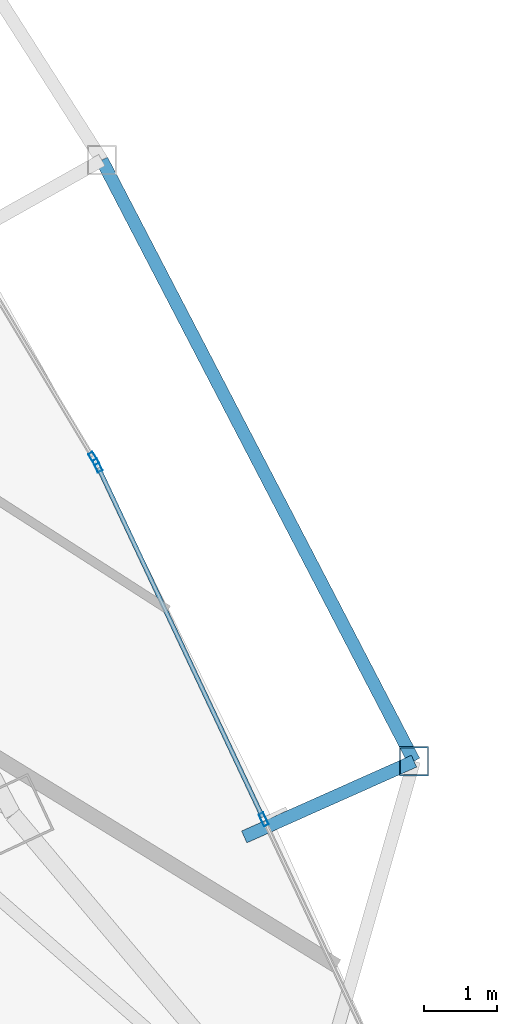
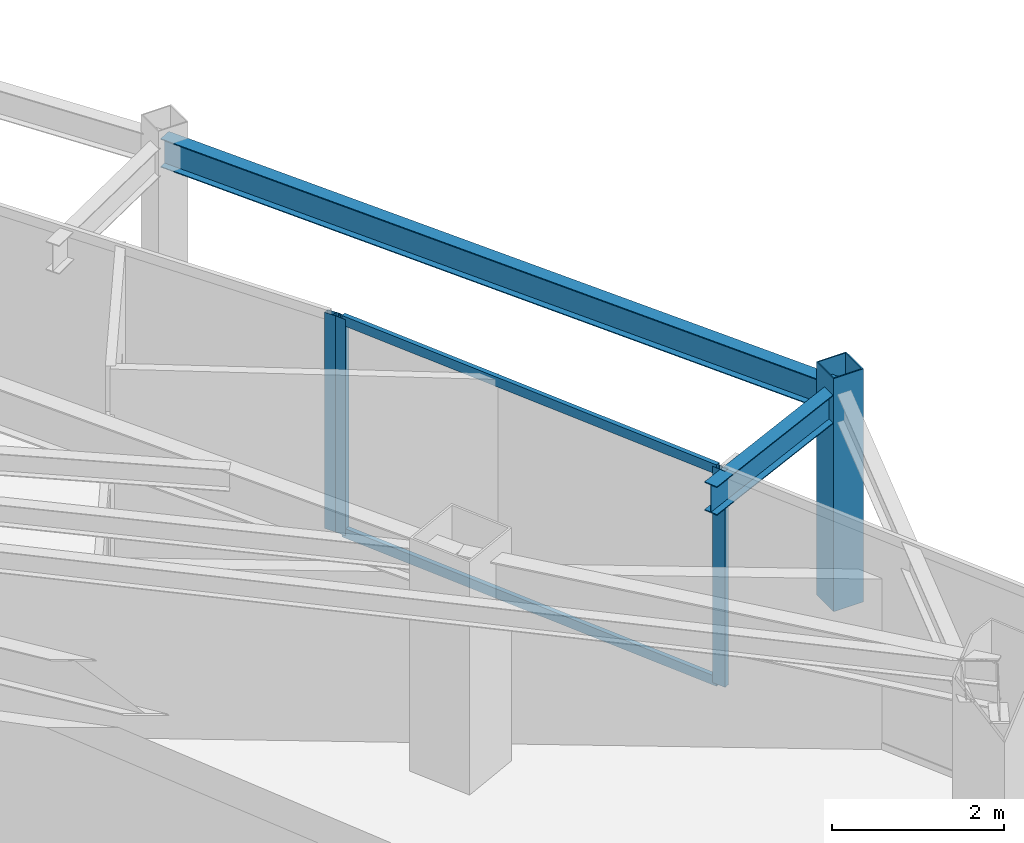
# One storey, part 17 of 29: 6 members, 2 beams, 2 elements without a shape of their own.
"""IFC4 building model written with IfcOpenShell, lengths in metres."""

from ifc_helpers import new_model, si_unit, direction, frame, origin, origin_2d, place, context, subcontext, project, spatial, hollow_rectangle, i_section, extrude, material, layer, layer_set, material_profile, profile_set, type_object, element, aggregate, save


model = new_model("IFC4")

# Units and contexts
model_context = context("Model", 3, precision=1e-05, world=origin(), true_north=direction((0.0, 1.0)))
body_context = subcontext(model_context, "Body", "Model", "MODEL_VIEW")
ifc_project = project(units=[si_unit("LENGTHUNIT", "METRE"), si_unit("AREAUNIT", "SQUARE_METRE"), si_unit("VOLUMEUNIT", "CUBIC_METRE"), si_unit("PLANEANGLEUNIT", "RADIAN"), si_unit("MASSUNIT", "GRAM", prefix="KILO")], contexts=[model_context])

# Site, building, storey
site_placement = place(None, origin())
site = spatial("IfcSite", under=ifc_project, at=site_placement, CompositionType="ELEMENT")
building_placement = place(site_placement, origin())
building = spatial("IfcBuilding", under=site, at=building_placement, Name="Orvanel Arch Residences", CompositionType="ELEMENT")
storey_placement = place(building_placement, frame((0.0, 0.0, 173.75)))
storey = spatial("IfcBuildingStorey", under=building, at=storey_placement, Name="L49", CompositionType="ELEMENT", Elevation=173.75)

# Curtain wall, members
ifc_material_1 = material(Name="Bronze-anodised aluminium AA6063-T6", Category="aluminium")
ifc_layer = layer(ifc_material_1, 0.179931640625)
ifc_layer_set = layer_set([ifc_layer], Name="Bronze-anodised aluminium AA6063-T6")
curtain_wall_type = type_object("IfcCurtainWallType", Name="CW3-MID-SYS", PredefinedType="NOTDEFINED", material=ifc_layer_set)
curtain_wall_1_placement = place(storey_placement, origin())
curtain_wall_1 = element("IfcCurtainWall", 1, at=curtain_wall_1_placement, inside=storey, type_object=curtain_wall_type, Name="L49 CW3-MID-SYS Unitised Curtain Wall", PredefinedType="NOTDEFINED")
ifc_material_profile_1 = material_profile(ifc_material_1, hollow_rectangle(XDim=0.070068359375, YDim=0.179931640625, WallThickness=0.00439453125, at=origin_2d()), Name="ALU180x70x4.5")
ifc_profile_set_1 = profile_set([ifc_material_profile_1], Name="Bronze-anodised aluminium AA6063-T6")
member_type_1 = type_object("IfcMemberType", Name="MUL-180x70", PredefinedType="MULLION", material=ifc_profile_set_1)
member_1_placement = place(storey_placement, frame((53.074462890625, 19.576904296875, 0.0), z_axis=(0.0, 0.0, 1.0), x_axis=(-0.905089296983, -0.425221547533, 0.0)))
member_1 = element("IfcMember", 2, at=member_1_placement, type_object=member_type_1, Name="CW-S3 mullion 2", PredefinedType="MULLION", context=body_context, shape_type="SweptSolid", body=[
    extrude(hollow_rectangle(XDim=0.070068359375, YDim=0.179931640625, WallThickness=0.00439453125, at=origin_2d()), origin(), (0.0, 0.0, 1.0), 3.06005859375),
])
member_2_placement = place(storey_placement, frame((50.7939453125, 24.431396484375, 0.0), z_axis=(0.0, 0.0, 1.0), x_axis=(-0.905089296983, -0.425221547533, 0.0)))
member_2 = element("IfcMember", 3, at=member_2_placement, type_object=member_type_1, Name="CW-S3 mullion 3", PredefinedType="MULLION", context=body_context, shape_type="SweptSolid", body=[
    extrude(hollow_rectangle(XDim=0.070068359375, YDim=0.179931640625, WallThickness=0.00439453125, at=origin_2d()), origin(), (0.0, 0.0, 1.0), 3.06005859375),
])

# Curtain wall, member
curtain_wall_2_placement = place(storey_placement, origin())
curtain_wall_2 = element("IfcCurtainWall", 4, at=curtain_wall_2_placement, inside=storey, type_object=curtain_wall_type, Name="L49 CW3-MID-SYS Unitised Curtain Wall", PredefinedType="NOTDEFINED")
member_3_placement = place(storey_placement, frame((50.741943359375, 24.528076171875, 0.0), z_axis=(0.0, 0.0, 1.0), x_axis=(-0.857542204558, -0.514413615102, 0.0)))
member_3 = element("IfcMember", 5, at=member_3_placement, type_object=member_type_1, Name="CW-S3 mullion 1", PredefinedType="MULLION", context=body_context, shape_type="SweptSolid", body=[
    extrude(hollow_rectangle(XDim=0.070068359375, YDim=0.179931640625, WallThickness=0.00439453125, at=origin_2d()), origin(), (0.0, 0.0, 1.0), 3.06005859375),
])
aggregate(curtain_wall_2, [member_3])

# Beams
ifc_material_2 = material(Name="Structural steel AS/NZS 3679.1 Grade 300 (300 MPa)", Category="steel")
ifc_material_profile_2 = material_profile(ifc_material_2, i_section(OverallWidth=0.177978515625, OverallDepth=0.406005859375, WebThickness=0.0078125, FlangeThickness=0.0126953125, at=origin_2d()), Name="410UB59.7")
ifc_profile_set_2 = profile_set([ifc_material_profile_2], Name="Structural steel AS/NZS 3679.1 Grade 300 (300 MPa)")
beam_type = type_object("IfcBeamType", Name="OB-410UB-EXT", PredefinedType="SPANDREL", material=ifc_profile_set_2)
beam_1_placement = place(storey_placement, frame((52.806884765625, 19.3369140625, 2.85693359375), z_axis=(0.913242208685, 0.4074170692, 0.0), x_axis=(-0.4074170692, 0.913242208685, 0.0)))
element("IfcBeam", 6, at=beam_1_placement, inside=storey, type_object=beam_type, Name="L49 Outer Frame Radial Tie Beam 09", PredefinedType="SPANDREL", context=body_context, shape_type="SweptSolid", body=[
    extrude(i_section(OverallWidth=0.177978515625, OverallDepth=0.406005859375, WebThickness=0.0078125, FlangeThickness=0.0126953125, at=origin_2d()), origin(), (0.0, 0.0, 1.0), 2.55029296875),
])
beam_2_placement = place(storey_placement, frame((55.135986328125, 20.3759765625, 2.85693359375), z_axis=(-0.460931503578, 0.887435715424, 0.0), x_axis=(-0.887435715424, -0.460931503578, 0.0)))
element("IfcBeam", 7, at=beam_2_placement, inside=storey, type_object=beam_type, Name="L49 Outer Perimeter Floor Ring Beam 09", PredefinedType="SPANDREL", context=body_context, shape_type="SweptSolid", body=[
    extrude(i_section(OverallWidth=0.177978515625, OverallDepth=0.406005859375, WebThickness=0.0078125, FlangeThickness=0.0126953125, at=origin_2d()), origin(), (0.0, 0.0, 1.0), 9.289794921875),
])

# Member
ifc_material_3 = material(Name="Structural steel AS/NZS 1163 C450L0 (Grade 450)", Category="steel")
ifc_material_profile_3 = material_profile(ifc_material_3, hollow_rectangle(XDim=0.39990234375, YDim=0.39990234375, WallThickness=0.01611328125, at=origin_2d()), Name="SHS400x400x16")
ifc_profile_set_3 = profile_set([ifc_material_profile_3], Name="Structural steel AS/NZS 1163 C450L0 (Grade 450)")
member_type_2 = type_object("IfcMemberType", Name="ST-400SHS-EXT", PredefinedType="STRUT", material=ifc_profile_set_3)
member_4_placement = place(storey_placement, frame((55.135986328125, 20.3759765625, 0.0), z_axis=(0.0, 0.0, 1.0), x_axis=(1.0, 0.0, 0.0)))
element("IfcMember", 8, at=member_4_placement, inside=storey, type_object=member_type_2, Name="L49 Outer Perimeter Frame Post 09", PredefinedType="STRUT", context=body_context, shape_type="SweptSolid", body=[
    extrude(hollow_rectangle(XDim=0.39990234375, YDim=0.39990234375, WallThickness=0.01611328125, at=origin_2d()), origin(), (0.0, 0.0, 1.0), 3.300048828125),
])

ifc_material_profile_4 = material_profile(ifc_material_1, hollow_rectangle(XDim=0.06005859375, YDim=0.135009765625, WallThickness=0.00390625, at=origin_2d()), Name="ALU135x60x4")
ifc_profile_set_4 = profile_set([ifc_material_profile_4], Name="Bronze-anodised aluminium AA6063-T6")
member_type_3 = type_object("IfcMemberType", Name="TRN-135x60", PredefinedType="USERDEFINED", material=ifc_profile_set_4)
member_5_placement = place(storey_placement, frame((53.0595703125, 19.608642578125, 0.030029296875), z_axis=(-0.425199446984, 0.90509967975, 0.0), x_axis=(-0.90509967975, -0.425199446984, 0.0)))
member_5 = element("IfcMember", 9, at=member_5_placement, type_object=member_type_3, Name="CW-S3 transom 2.1", ObjectType="TRANSOM", PredefinedType="USERDEFINED", context=body_context, shape_type="SweptSolid", body=[
    extrude(hollow_rectangle(XDim=0.06005859375, YDim=0.135009765625, WallThickness=0.00390625, at=origin_2d()), origin(), (0.0, 0.0, 1.0), 5.29345703125),
])

member_6_placement = place(storey_placement, frame((53.0595703125, 19.608642578125, 3.030029296875), z_axis=(-0.425199446984, 0.90509967975, 0.0), x_axis=(-0.90509967975, -0.425199446984, 0.0)))
member_6 = element("IfcMember", 10, at=member_6_placement, type_object=member_type_3, Name="CW-S3 transom 2.2", ObjectType="TRANSOM", PredefinedType="USERDEFINED", context=body_context, shape_type="SweptSolid", body=[
    extrude(hollow_rectangle(XDim=0.06005859375, YDim=0.135009765625, WallThickness=0.00390625, at=origin_2d()), origin(), (0.0, 0.0, 1.0), 5.29345703125),
])

aggregate(curtain_wall_1, [member_1, member_2, member_5, member_6])

save(model, "model.ifc")
